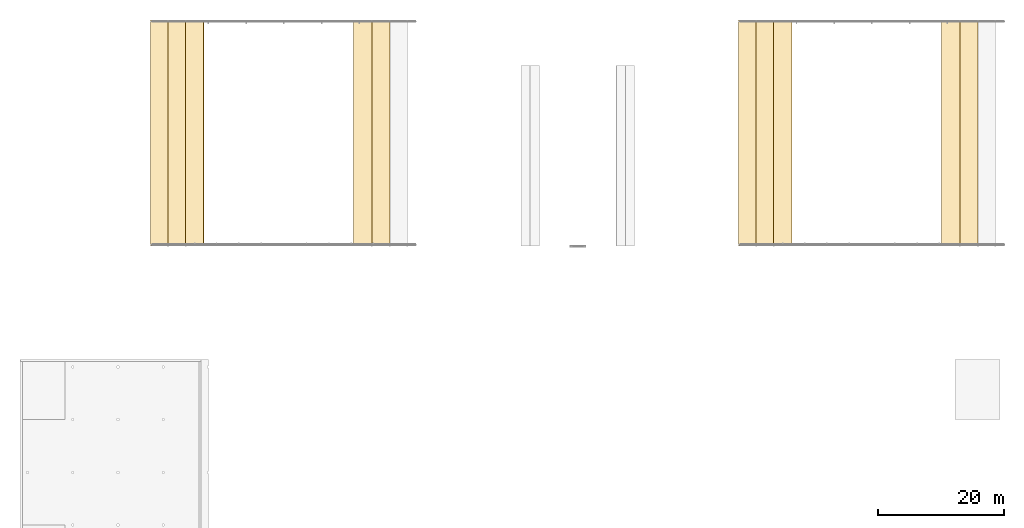
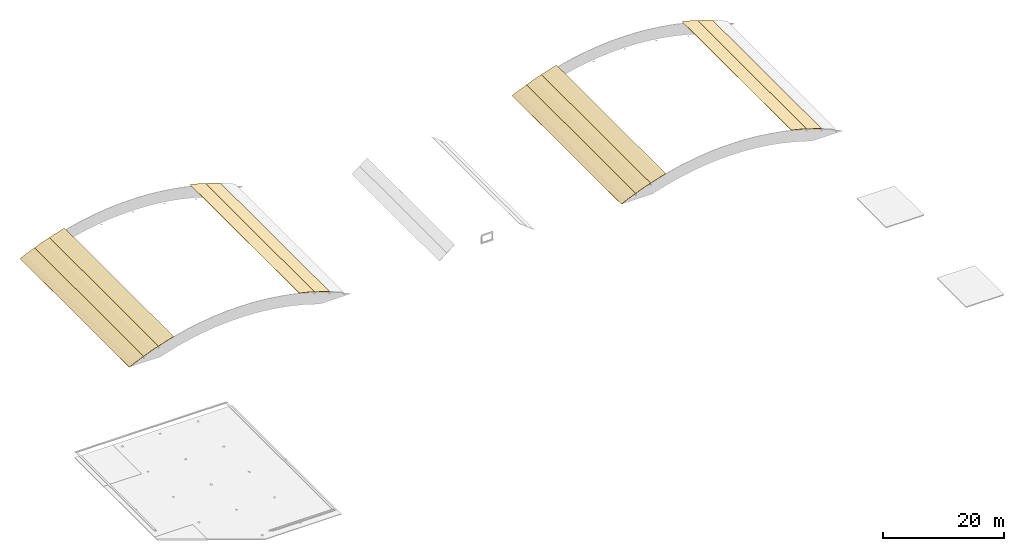
# One storey, part 17 of 17: 10 coverings.
"""IFC4 building model written with IfcOpenShell, lengths in metres."""

from ifc_helpers import new_model, si_unit, direction, frame, origin, place, context, subcontext, project, spatial, polygons, material, layer, layer_set, type_object, element, save


model = new_model("IFC4")

# Units and contexts
model_context = context("Model", 3, precision=1e-05, world=origin(), true_north=direction((0.0, 1.0)))
body_context = subcontext(model_context, "Body", "Model", "MODEL_VIEW")
ifc_project = project(units=[si_unit("LENGTHUNIT", "METRE"), si_unit("AREAUNIT", "SQUARE_METRE"), si_unit("VOLUMEUNIT", "CUBIC_METRE"), si_unit("PLANEANGLEUNIT", "RADIAN"), si_unit("MASSUNIT", "GRAM", prefix="KILO")], contexts=[model_context])

# Site, building, storey
site_placement = place(None, origin())
site = spatial("IfcSite", under=ifc_project, at=site_placement, CompositionType="ELEMENT")
building_placement = place(site_placement, origin())
building = spatial("IfcBuilding", under=site, at=building_placement, Name="Verrick Yard Athletic Hall", CompositionType="ELEMENT")
storey_placement = place(building_placement, frame((0.0, 0.0, 18.199951171875)))
storey = spatial("IfcBuildingStorey", under=building, at=storey_placement, Name="Roof", CompositionType="ELEMENT", Elevation=18.199951171875)

# Coverings
ifc_material = material(Name="Standing-seam aluminium roofing", Category="aluminium")
ifc_layer = layer(ifc_material, 0.050048828125)
ifc_layer_set = layer_set([ifc_layer], Name="Roof covering standing seam")
covering_type = type_object("IfcCoveringType", Name="Roof covering standing seam", PredefinedType="ROOFING", material=ifc_layer_set)
covering_1_placement = place(storey_placement, origin())
element("IfcCovering", 1, at=covering_1_placement, inside=storey, type_object=covering_type, Name="Court hall A roofing course 3", PredefinedType="ROOFING", context=body_context, shape_type="Tessellation", body=[
    polygons([(124.410888671875, 72.0, 0.101318359375), (125.344482421875, 72.0, 0.575927734375), (127.162109375, 72.0, 1.327392578125), (124.410888671875, 108.0, 0.101318359375), (125.344482421875, 108.0, 0.575927734375), (127.162109375, 108.0, 1.327392578125), (124.388427734375, 72.0, 0.145751953125), (125.323486328125, 72.0, 0.621337890625), (127.142822265625, 72.0, 1.373779296875), (124.388427734375, 108.0, 0.145751953125), (125.323486328125, 108.0, 0.621337890625), (127.142822265625, 108.0, 1.373779296875)], [[[1, 5, 2]], [[1, 4, 5]], [[7, 8, 11]], [[7, 11, 10]], [[1, 2, 8]], [[1, 8, 7]], [[4, 11, 5]], [[4, 10, 11]], [[2, 6, 3]], [[2, 5, 6]], [[8, 9, 12]], [[8, 12, 11]], [[2, 3, 9]], [[2, 9, 8]], [[5, 12, 6]], [[5, 11, 12]], [[1, 7, 10]], [[1, 10, 4]], [[3, 12, 9]], [[3, 6, 12]]], closed=True),
])
covering_2_placement = place(storey_placement, origin())
element("IfcCovering", 2, at=covering_2_placement, inside=storey, type_object=covering_type, Name="Court hall A roofing course 4", PredefinedType="ROOFING", context=body_context, shape_type="Tessellation", body=[
    polygons([(127.162109375, 72.0, 1.327392578125), (128.854736328125, 72.0, 2.02734375), (129.98095703125, 72.0, 2.392578125), (127.162109375, 108.0, 1.327392578125), (128.854736328125, 108.0, 2.02734375), (129.98095703125, 108.0, 2.392578125), (127.142822265625, 72.0, 1.373779296875), (128.83740234375, 72.0, 2.074462890625), (129.965576171875, 72.0, 2.440185546875), (127.142822265625, 108.0, 1.373779296875), (128.83740234375, 108.0, 2.074462890625), (129.965576171875, 108.0, 2.440185546875)], [[[1, 5, 2]], [[1, 4, 5]], [[7, 8, 11]], [[7, 11, 10]], [[1, 2, 8]], [[1, 8, 7]], [[4, 11, 5]], [[4, 10, 11]], [[2, 6, 3]], [[2, 5, 6]], [[8, 9, 12]], [[8, 12, 11]], [[2, 3, 9]], [[2, 9, 8]], [[5, 12, 6]], [[5, 11, 12]], [[1, 7, 10]], [[1, 10, 4]], [[3, 12, 9]], [[3, 6, 12]]], closed=True),
])
covering_3_placement = place(storey_placement, origin())
element("IfcCovering", 3, at=covering_3_placement, inside=storey, type_object=covering_type, Name="Court hall A roofing course 5", PredefinedType="ROOFING", context=body_context, shape_type="Tessellation", body=[
    polygons([(129.98095703125, 72.0, 2.392578125), (132.468017578125, 72.0, 3.199462890625), (132.85888671875, 72.0, 3.29296875), (129.98095703125, 108.0, 2.392578125), (132.468017578125, 108.0, 3.199462890625), (132.85888671875, 108.0, 3.29296875), (129.965576171875, 72.0, 2.440185546875), (132.454345703125, 72.0, 3.24755859375), (132.847412109375, 72.0, 3.341796875), (129.965576171875, 108.0, 2.440185546875), (132.454345703125, 108.0, 3.24755859375), (132.847412109375, 108.0, 3.341796875)], [[[1, 5, 2]], [[1, 4, 5]], [[7, 8, 11]], [[7, 11, 10]], [[1, 2, 8]], [[1, 8, 7]], [[4, 11, 5]], [[4, 10, 11]], [[2, 6, 3]], [[2, 5, 6]], [[8, 9, 12]], [[8, 12, 11]], [[2, 3, 9]], [[2, 9, 8]], [[5, 12, 6]], [[5, 11, 12]], [[1, 7, 10]], [[1, 10, 4]], [[3, 12, 9]], [[3, 6, 12]]], closed=True),
])
covering_4_placement = place(storey_placement, origin())
element("IfcCovering", 4, at=covering_4_placement, inside=storey, type_object=covering_type, Name="Court hall A roofing course 14", PredefinedType="ROOFING", context=body_context, shape_type="Tessellation", body=[
    polygons([(156.70703125, 72.0, 3.684814453125), (158.73193359375, 72.0, 3.199462890625), (159.62109375, 72.0, 2.9111328125), (156.70703125, 108.0, 3.684814453125), (158.73193359375, 108.0, 3.199462890625), (159.62109375, 108.0, 2.9111328125), (156.71875, 72.0, 3.7333984375), (158.74560546875, 72.0, 3.24755859375), (159.636474609375, 72.0, 2.95849609375), (156.71875, 108.0, 3.7333984375), (158.74560546875, 108.0, 3.24755859375), (159.636474609375, 108.0, 2.95849609375)], [[[1, 5, 2]], [[1, 4, 5]], [[7, 8, 11]], [[7, 11, 10]], [[1, 2, 8]], [[1, 8, 7]], [[4, 11, 5]], [[4, 10, 11]], [[2, 6, 3]], [[2, 5, 6]], [[8, 9, 12]], [[8, 12, 11]], [[2, 3, 9]], [[2, 9, 8]], [[5, 12, 6]], [[5, 11, 12]], [[1, 7, 10]], [[1, 10, 4]], [[3, 12, 9]], [[3, 6, 12]]], closed=True),
])
covering_5_placement = place(storey_placement, origin())
element("IfcCovering", 5, at=covering_5_placement, inside=storey, type_object=covering_type, Name="Court hall A roofing course 15", PredefinedType="ROOFING", context=body_context, shape_type="Tessellation", body=[
    polygons([(159.62109375, 72.0, 2.9111328125), (162.34521484375, 72.0, 2.02734375), (162.485107421875, 72.0, 1.9697265625), (159.62109375, 108.0, 2.9111328125), (162.34521484375, 108.0, 2.02734375), (162.485107421875, 108.0, 1.9697265625), (159.636474609375, 72.0, 2.95849609375), (162.362548828125, 72.0, 2.074462890625), (162.504150390625, 72.0, 2.015869140625), (159.636474609375, 108.0, 2.95849609375), (162.362548828125, 108.0, 2.074462890625), (162.504150390625, 108.0, 2.015869140625)], [[[1, 5, 2]], [[1, 4, 5]], [[7, 8, 11]], [[7, 11, 10]], [[1, 2, 8]], [[1, 8, 7]], [[4, 11, 5]], [[4, 10, 11]], [[2, 6, 3]], [[2, 5, 6]], [[8, 9, 12]], [[8, 12, 11]], [[2, 3, 9]], [[2, 9, 8]], [[5, 12, 6]], [[5, 11, 12]], [[1, 7, 10]], [[1, 10, 4]], [[3, 12, 9]], [[3, 6, 12]]], closed=True),
])
covering_6_placement = place(storey_placement, origin())
element("IfcCovering", 6, at=covering_6_placement, inside=storey, type_object=covering_type, Name="Court hall B roofing course 3", PredefinedType="ROOFING", context=body_context, shape_type="Tessellation", body=[
    polygons([(30.81103515625, 72.0, 0.101318359375), (31.744384765625, 72.0, 0.575927734375), (33.56201171875, 72.0, 1.327392578125), (30.81103515625, 108.0, 0.101318359375), (31.744384765625, 108.0, 0.575927734375), (33.56201171875, 108.0, 1.327392578125), (30.788330078125, 72.0, 0.145751953125), (31.723388671875, 72.0, 0.621337890625), (33.54296875, 72.0, 1.373779296875), (30.788330078125, 108.0, 0.145751953125), (31.723388671875, 108.0, 0.621337890625), (33.54296875, 108.0, 1.373779296875)], [[[1, 5, 2]], [[1, 4, 5]], [[7, 8, 11]], [[7, 11, 10]], [[1, 2, 8]], [[1, 8, 7]], [[4, 11, 5]], [[4, 10, 11]], [[2, 6, 3]], [[2, 5, 6]], [[8, 9, 12]], [[8, 12, 11]], [[2, 3, 9]], [[2, 9, 8]], [[5, 12, 6]], [[5, 11, 12]], [[1, 7, 10]], [[1, 10, 4]], [[3, 12, 9]], [[3, 6, 12]]], closed=True),
])
covering_7_placement = place(storey_placement, origin())
element("IfcCovering", 7, at=covering_7_placement, inside=storey, type_object=covering_type, Name="Court hall B roofing course 4", PredefinedType="ROOFING", context=body_context, shape_type="Tessellation", body=[
    polygons([(33.56201171875, 72.0, 1.327392578125), (35.254638671875, 72.0, 2.02734375), (36.381103515625, 72.0, 2.392578125), (33.56201171875, 108.0, 1.327392578125), (35.254638671875, 108.0, 2.02734375), (36.381103515625, 108.0, 2.392578125), (33.54296875, 72.0, 1.373779296875), (35.237548828125, 72.0, 2.074462890625), (36.365478515625, 72.0, 2.440185546875), (33.54296875, 108.0, 1.373779296875), (35.237548828125, 108.0, 2.074462890625), (36.365478515625, 108.0, 2.440185546875)], [[[1, 5, 2]], [[1, 4, 5]], [[7, 8, 11]], [[7, 11, 10]], [[1, 2, 8]], [[1, 8, 7]], [[4, 11, 5]], [[4, 10, 11]], [[2, 6, 3]], [[2, 5, 6]], [[8, 9, 12]], [[8, 12, 11]], [[2, 3, 9]], [[2, 9, 8]], [[5, 12, 6]], [[5, 11, 12]], [[1, 7, 10]], [[1, 10, 4]], [[3, 12, 9]], [[3, 6, 12]]], closed=True),
])
covering_8_placement = place(storey_placement, origin())
element("IfcCovering", 8, at=covering_8_placement, inside=storey, type_object=covering_type, Name="Court hall B roofing course 5", PredefinedType="ROOFING", context=body_context, shape_type="Tessellation", body=[
    polygons([(36.381103515625, 72.0, 2.392578125), (38.867919921875, 72.0, 3.199462890625), (39.259033203125, 72.0, 3.29296875), (36.381103515625, 108.0, 2.392578125), (38.867919921875, 108.0, 3.199462890625), (39.259033203125, 108.0, 3.29296875), (36.365478515625, 72.0, 2.440185546875), (38.8544921875, 72.0, 3.24755859375), (39.247314453125, 72.0, 3.341796875), (36.365478515625, 108.0, 2.440185546875), (38.8544921875, 108.0, 3.24755859375), (39.247314453125, 108.0, 3.341796875)], [[[1, 5, 2]], [[1, 4, 5]], [[7, 8, 11]], [[7, 11, 10]], [[1, 2, 8]], [[1, 8, 7]], [[4, 11, 5]], [[4, 10, 11]], [[2, 6, 3]], [[2, 5, 6]], [[8, 9, 12]], [[8, 12, 11]], [[2, 3, 9]], [[2, 9, 8]], [[5, 12, 6]], [[5, 11, 12]], [[1, 7, 10]], [[1, 10, 4]], [[3, 12, 9]], [[3, 6, 12]]], closed=True),
])
covering_9_placement = place(storey_placement, origin())
element("IfcCovering", 9, at=covering_9_placement, inside=storey, type_object=covering_type, Name="Court hall B roofing course 14", PredefinedType="ROOFING", context=body_context, shape_type="Tessellation", body=[
    polygons([(63.10693359375, 72.0, 3.684814453125), (65.132080078125, 72.0, 3.199462890625), (66.02099609375, 72.0, 2.9111328125), (63.10693359375, 108.0, 3.684814453125), (65.132080078125, 108.0, 3.199462890625), (66.02099609375, 108.0, 2.9111328125), (63.11865234375, 72.0, 3.7333984375), (65.1455078125, 72.0, 3.24755859375), (66.036376953125, 72.0, 2.95849609375), (63.11865234375, 108.0, 3.7333984375), (65.1455078125, 108.0, 3.24755859375), (66.036376953125, 108.0, 2.95849609375)], [[[1, 5, 2]], [[1, 4, 5]], [[7, 8, 11]], [[7, 11, 10]], [[1, 2, 8]], [[1, 8, 7]], [[4, 11, 5]], [[4, 10, 11]], [[2, 6, 3]], [[2, 5, 6]], [[8, 9, 12]], [[8, 12, 11]], [[2, 3, 9]], [[2, 9, 8]], [[5, 12, 6]], [[5, 11, 12]], [[1, 7, 10]], [[1, 10, 4]], [[3, 12, 9]], [[3, 6, 12]]], closed=True),
])
covering_10_placement = place(storey_placement, origin())
element("IfcCovering", 10, at=covering_10_placement, inside=storey, type_object=covering_type, Name="Court hall B roofing course 15", PredefinedType="ROOFING", context=body_context, shape_type="Tessellation", body=[
    polygons([(66.02099609375, 72.0, 2.9111328125), (68.745361328125, 72.0, 2.02734375), (68.885009765625, 72.0, 1.9697265625), (66.02099609375, 108.0, 2.9111328125), (68.745361328125, 108.0, 2.02734375), (68.885009765625, 108.0, 1.9697265625), (66.036376953125, 72.0, 2.95849609375), (68.762451171875, 72.0, 2.074462890625), (68.904052734375, 72.0, 2.015869140625), (66.036376953125, 108.0, 2.95849609375), (68.762451171875, 108.0, 2.074462890625), (68.904052734375, 108.0, 2.015869140625)], [[[1, 5, 2]], [[1, 4, 5]], [[7, 8, 11]], [[7, 11, 10]], [[1, 2, 8]], [[1, 8, 7]], [[4, 11, 5]], [[4, 10, 11]], [[2, 6, 3]], [[2, 5, 6]], [[8, 9, 12]], [[8, 12, 11]], [[2, 3, 9]], [[2, 9, 8]], [[5, 12, 6]], [[5, 11, 12]], [[1, 7, 10]], [[1, 10, 4]], [[3, 12, 9]], [[3, 6, 12]]], closed=True),
])

save(model, "model.ifc")
